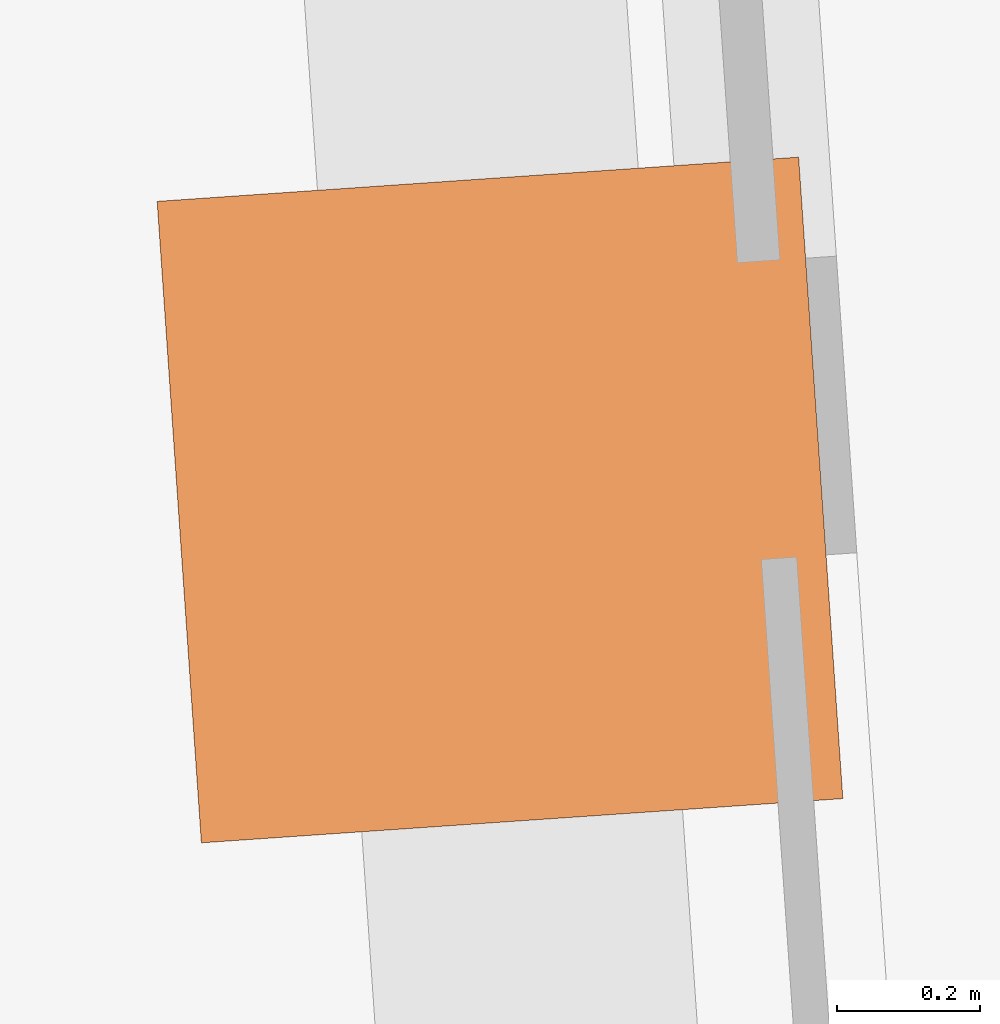
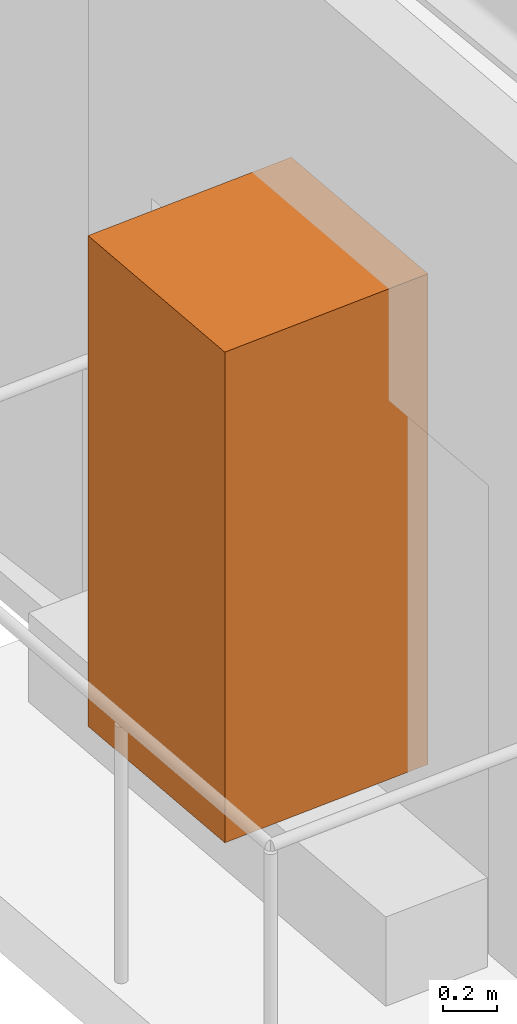
# One storey, part 10 of 10: 1 geographic element.
"""IFC4 building model written with IfcOpenShell, lengths in metres."""

from ifc_helpers import new_model, si_unit, direction, frame, origin, origin_2d, place, context, subcontext, project, spatial, rectangle, extrude, material, type_object, element, save


model = new_model("IFC4")

# Units and contexts
model_context = context("Model", 3, precision=1e-05, world=origin(), true_north=direction((0.0, 1.0)))
body_context = subcontext(model_context, "Body", "Model", "MODEL_VIEW")
ifc_project = project(units=[si_unit("LENGTHUNIT", "METRE"), si_unit("AREAUNIT", "SQUARE_METRE"), si_unit("VOLUMEUNIT", "CUBIC_METRE"), si_unit("PLANEANGLEUNIT", "RADIAN"), si_unit("MASSUNIT", "GRAM", prefix="KILO")], contexts=[model_context])

# Site, building, storey
site_placement = place(None, origin())
site = spatial("IfcSite", under=ifc_project, at=site_placement, CompositionType="ELEMENT")
building_placement = place(site_placement, origin())
building = spatial("IfcBuilding", under=site, at=building_placement, Name="Verdant Reach Tower", CompositionType="ELEMENT")
storey_placement = place(building_placement, frame((0.0, 0.0, 202.0)))
storey = spatial("IfcBuildingStorey", under=building, at=storey_placement, Name="L46", CompositionType="ELEMENT", Elevation=202.0)

# Geographic element
ifc_material = material(Name="Planting")
geographic_element_type = type_object("IfcGeographicElementType", Name="EN-TREE", PredefinedType="USERDEFINED", material=ifc_material)
geographic_element_placement = place(storey_placement, frame((-24.17041015625, 58.305419921875, 0.39990234375), z_axis=(0.0, 0.0, 1.0), x_axis=(0.068802091615, -0.997630328423, 0.0)))
element("IfcGeographicElement", 1, at=geographic_element_placement, inside=storey, type_object=geographic_element_type, Name="Balcony tree, Guabiroba (Campomanesia xanthocarpa), L46 1", ObjectType="TREE", PredefinedType="USERDEFINED", context=body_context, shape_type="SweptSolid", body=[
    extrude(rectangle(XDim=0.89990234375, YDim=0.89990234375, at=origin_2d()), origin(), (0.0, 0.0, 1.0), 2.199951171875),
])

save(model, "model.ifc")
